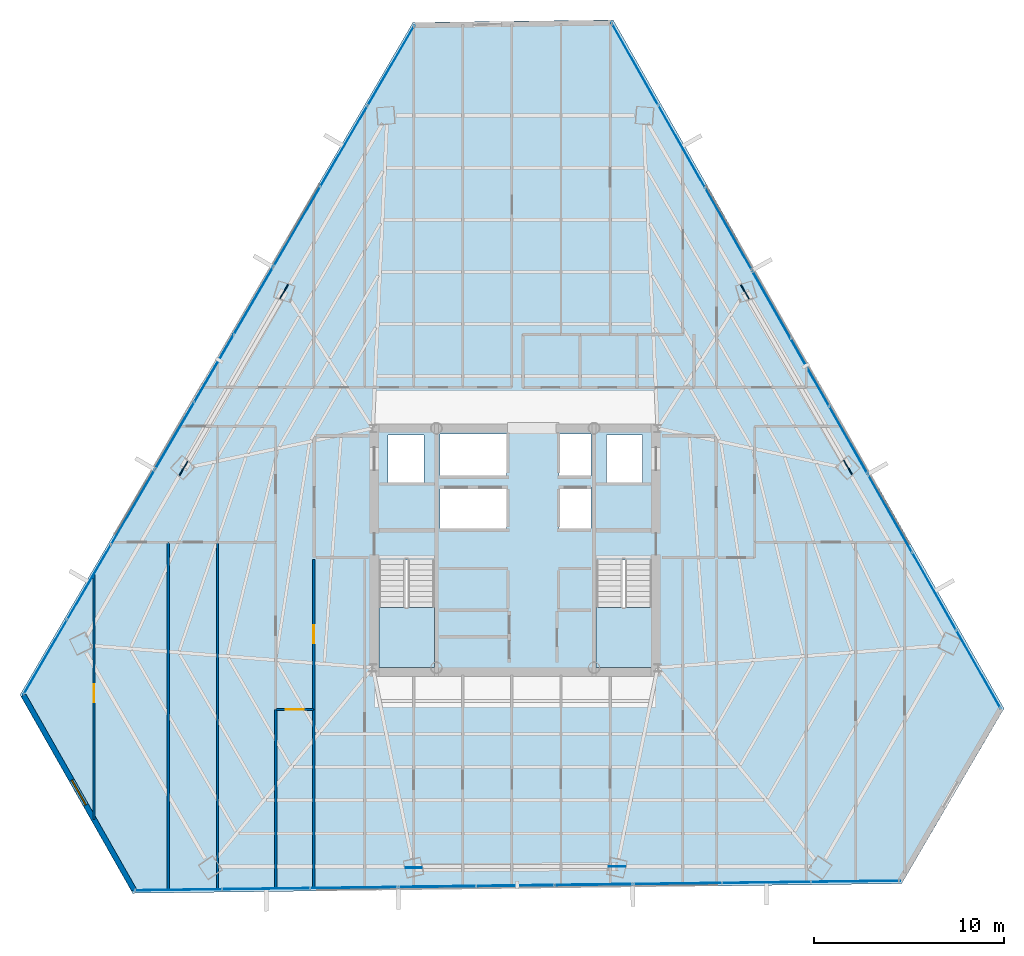
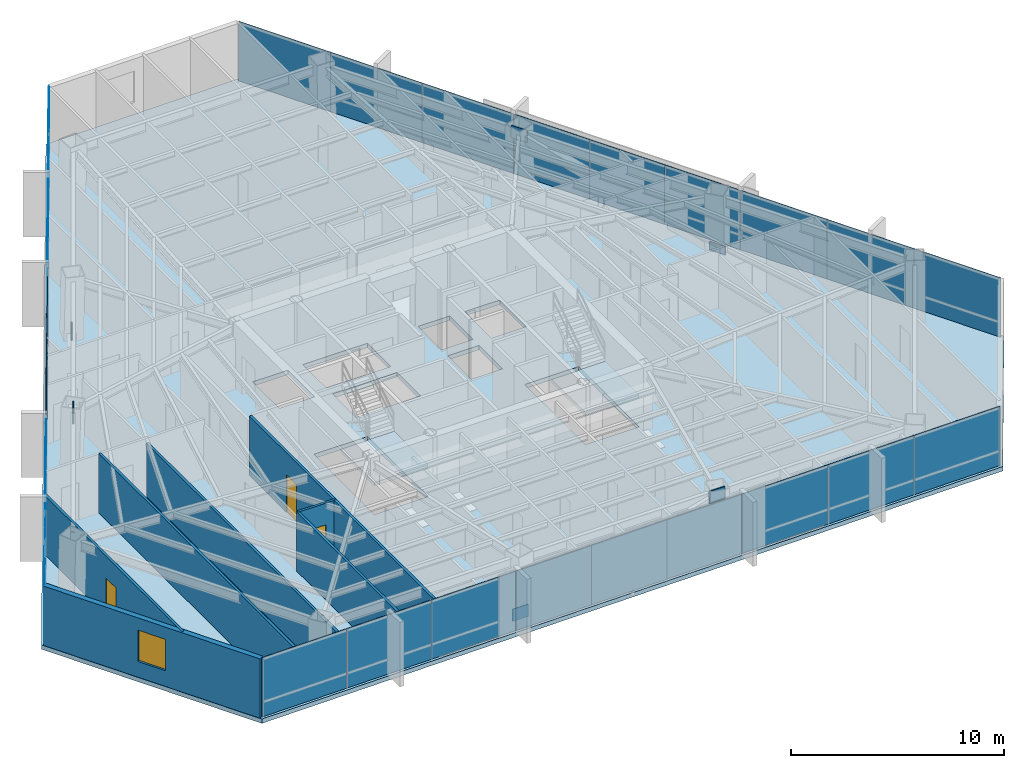
# One storey, part 35 of 42: 33 plates, 8 walls, 3 doors, 3 slabs, 1 window, 4 openings, 11 elements without a shape of their own.
"""IFC4 building model written with IfcOpenShell, lengths in metres."""

from ifc_helpers import new_model, si_unit, direction, frame, frame_2d, origin, origin_2d, place, context, subcontext, project, spatial, polyline, rectangle, outline, extrude, source, transform, mapped, material, layer, layer_set, type_object, type_shapes, element, fill, aggregate, save


model = new_model("IFC4")

# Units and contexts
model_context = context("Model", 3, precision=1e-05, world=origin(), true_north=direction((0.0, 1.0)))
body_context = subcontext(model_context, "Body", "Model", "MODEL_VIEW")
ifc_project = project(units=[si_unit("LENGTHUNIT", "METRE"), si_unit("AREAUNIT", "SQUARE_METRE"), si_unit("VOLUMEUNIT", "CUBIC_METRE"), si_unit("PLANEANGLEUNIT", "RADIAN"), si_unit("MASSUNIT", "GRAM", prefix="KILO")], contexts=[model_context])

# Site, building, storey
site_placement = place(None, origin())
site = spatial("IfcSite", under=ifc_project, at=site_placement, CompositionType="ELEMENT")
building_placement = place(site_placement, origin())
building = spatial("IfcBuilding", under=site, at=building_placement, Name="Caelisora Broadcast Tower", CompositionType="ELEMENT")
storey_placement = place(building_placement, frame((0.0, 0.0, 131.800048828125)))
storey = spatial("IfcBuildingStorey", under=building, at=storey_placement, Name="L34", CompositionType="ELEMENT", Elevation=131.800048828125)

# Slab
ifc_material_1 = material(Name="Concrete 40 MPa (AS 3600 N40)", Category="concrete")
ifc_layer_1 = layer(ifc_material_1, 0.25, Name="Concrete 40 MPa (AS 3600 N40)")
ifc_layer_set_1 = layer_set([ifc_layer_1], Name="Concrete 40 MPa (AS 3600 N40)")
slab_type_1 = type_object("IfcSlabType", Name="SL04", PredefinedType="FLOOR", material=ifc_layer_set_1)
slab_1_placement = place(storey_placement, frame((0.0, 0.0, -0.25)))
element("IfcSlab", 1, at=slab_1_placement, inside=storey, type_object=slab_type_1, Name="L34 suspended floor SL04", PredefinedType="FLOOR", context=body_context, shape_type="SweptSolid", body=[
    extrude(outline(polyline([(43.157958984375, 51.491943359375), (32.613037109375, 51.35888671875), (11.93505859375, 15.97412109375), (17.864990234375, 5.528076171875), (58.340087890625, 6.035888671875), (63.72705078125, 15.2548828125), (43.157958984375, 51.491943359375)]), holes=[polyline([(30.820068359375, 17.39990234375), (33.739990234375, 17.39990234375), (33.739990234375, 23.080078125), (30.820068359375, 23.080078125), (30.820068359375, 17.39990234375)]), polyline([(42.260009765625, 17.39990234375), (45.179931640625, 17.39990234375), (45.179931640625, 23.080078125), (42.260009765625, 23.080078125), (42.260009765625, 17.39990234375)]), polyline([(42.800048828125, 27.14990234375), (44.699951171875, 27.14990234375), (44.699951171875, 29.64990234375), (42.800048828125, 29.64990234375), (42.800048828125, 27.14990234375)]), polyline([(40.300048828125, 24.719970703125), (42.0, 24.719970703125), (42.0, 26.919921875), (40.300048828125, 26.919921875), (40.300048828125, 24.719970703125)]), polyline([(40.300048828125, 27.5), (42.0, 27.5), (42.0, 29.699951171875), (40.300048828125, 29.699951171875), (40.300048828125, 27.5)]), polyline([(34.050048828125, 24.719970703125), (37.550048828125, 24.719970703125), (37.550048828125, 26.919921875), (34.050048828125, 26.919921875), (34.050048828125, 24.719970703125)]), polyline([(34.050048828125, 27.5), (37.550048828125, 27.5), (37.550048828125, 29.699951171875), (34.050048828125, 29.699951171875), (34.050048828125, 27.5)]), polyline([(31.300048828125, 27.14990234375), (33.199951171875, 27.14990234375), (33.199951171875, 29.64990234375), (31.300048828125, 29.64990234375), (31.300048828125, 27.14990234375)])]), origin(), (0.0, 0.0, 1.0), 0.25),
])

# Stair, slab
stair_type_1 = type_object("IfcStairType", Name="ST-1", PredefinedType="HALF_TURN_STAIR", material=ifc_material_1)
stair_1_placement = place(storey_placement, origin())
stair_1 = element("IfcStair", 2, at=stair_1_placement, inside=storey, type_object=stair_type_1, Name="L34 West Fire-Isolated Tower Stair", PredefinedType="HALF_TURN_STAIR")
ifc_layer_2 = layer(ifc_material_1, 0.199951171875, Name="Concrete 40 MPa (AS 3600 N40)")
ifc_layer_set_2 = layer_set([ifc_layer_2], Name="Concrete 40 MPa (AS 3600 N40)")
slab_type_2 = type_object("IfcSlabType", Name="STL-1", PredefinedType="LANDING", material=ifc_layer_set_2)
slab_2_placement = place(storey_placement, frame((0.0, 0.0, 1.625)))
slab_2 = element("IfcSlab", 3, at=slab_2_placement, type_object=slab_type_2, Name="ST-1 landing 1", PredefinedType="LANDING", context=body_context, shape_type="SweptSolid", body=[
    extrude(outline(polyline([(30.820068359375, 20.580078125), (30.820068359375, 17.39990234375), (33.739990234375, 17.39990234375), (33.739990234375, 20.580078125), (30.820068359375, 20.580078125)])), origin(), (0.0, 0.0, 1.0), 0.199951171875),
])
aggregate(stair_1, [slab_2])

stair_type_2 = type_object("IfcStairType", Name="ST-2", PredefinedType="HALF_TURN_STAIR", material=ifc_material_1)
stair_2_placement = place(storey_placement, origin())
stair_2 = element("IfcStair", 4, at=stair_2_placement, inside=storey, type_object=stair_type_2, Name="L34 East Fire-Isolated Tower Stair", PredefinedType="HALF_TURN_STAIR")
slab_3_placement = place(storey_placement, frame((0.0, 0.0, 1.625)))
slab_3 = element("IfcSlab", 5, at=slab_3_placement, type_object=slab_type_2, Name="ST-2 landing 1", PredefinedType="LANDING", context=body_context, shape_type="SweptSolid", body=[
    extrude(outline(polyline([(42.260009765625, 20.580078125), (42.260009765625, 17.39990234375), (45.179931640625, 17.39990234375), (45.179931640625, 20.580078125), (42.260009765625, 20.580078125)])), origin(), (0.0, 0.0, 1.0), 0.199951171875),
])
aggregate(stair_2, [slab_3])

# Plates
ifc_material_2 = material(Name="Steel Grade 350 L15 (AS/NZS 3678)", Category="steel")
ifc_layer_3 = layer(ifc_material_2, 0.050048828125, Name="Steel Grade 350 L15 (AS/NZS 3678)")
ifc_layer_set_3 = layer_set([ifc_layer_3], Name="Steel Grade 350 L15 (AS/NZS 3678)")
plate_type_1 = type_object("IfcPlateType", Name="GP03", PredefinedType="USERDEFINED", material=ifc_layer_set_3)
shared_shape_1 = source(origin(), body_context, "Body", "SweptSolid", [
    extrude(rectangle(XDim=0.85009765625, YDim=0.050048828125, at=origin_2d()), origin(), (0.0, 0.0, 1.0), 0.699951171875),
])
type_shapes(plate_type_1, [shared_shape_1])
for number, where, z_axis, x_axis, name in (
    (6, (25.832275390625, 37.197265625, -0.22998046875), (0.0, 0.0, 1.0), (-0.5, -0.866025403784, 0.0), "L34 gusset plate GP03 (ND-L34-C02B)"),
    (7, (20.54150390625, 27.888671875, 2.72998046875), (0.0, 0.0, 1.0), (-0.5, -0.866025403784, 0.0), "L34 gusset plate GP03 (ND-L34-C03T)"),
    (8, (32.65478515625, 6.864013671875, -0.22998046875), (0.0, 0.0, 1.0), (1.0, 0.0, 0.0), "L34 gusset plate GP03 (ND-L34-C06B)"),
    (9, (43.361572265625, 6.936279296875, 2.72998046875), (0.0, 0.0, 1.0), (1.0, 0.0, 0.0), "L34 gusset plate GP03 (ND-L34-C07T)"),
    (10, (55.512939453125, 27.93896484375, -0.22998046875), (0.0, 0.0, 1.0), (-0.5, 0.866025403784, 0.0), "L34 gusset plate GP03 (ND-L34-C10B)"),
    (11, (50.0966796875, 37.17529296875, 2.72998046875), (0.0, 0.0, 1.0), (-0.5, 0.866025403784, 0.0), "L34 gusset plate GP03 (ND-L34-C11T)"),
):
    element("IfcPlate", number, at=place(storey_placement, frame(where, z_axis=z_axis, x_axis=x_axis)), inside=storey, type_object=plate_type_1, Name=name, ObjectType="GUSSET PLATE", PredefinedType="USERDEFINED", context=body_context, shape_type="MappedRepresentation", body=[
        mapped(shared_shape_1, transform((0.0, 0.0, 0.0), scale=1.0)),
    ])

# Curtain wall, plates
ifc_material_3 = material(Name="Unitised Aluminium and Low-E Glass Curtain Wall", Category="glass")
curtain_wall_type_1 = type_object("IfcCurtainWallType", Name="CW-Z3", PredefinedType="NOTDEFINED", material=ifc_material_3)
curtain_wall_1_placement = place(storey_placement, origin())
curtain_wall_1 = element("IfcCurtainWall", 12, at=curtain_wall_1_placement, inside=storey, type_object=curtain_wall_type_1, Name="L34 curtain wall CW-Z3", PredefinedType="NOTDEFINED")
ifc_material_4 = material(Name="Double Glazed Low-E Argon IGU", Category="glass")
ifc_layer_4 = layer(ifc_material_4, 0.031982421875, Name="Double Glazed Low-E Argon IGU")
ifc_layer_set_4 = layer_set([ifc_layer_4], Name="Double Glazed Low-E Argon IGU")
plate_type_2 = type_object("IfcPlateType", Name="CWP-04", PredefinedType="CURTAIN_PANEL", material=ifc_layer_set_4)
shared_shape_2 = source(origin(), body_context, "Body", "SweptSolid", [
    extrude(rectangle(XDim=4.9912109375, YDim=0.031982421875, at=origin_2d()), origin(), (0.0, 0.0, 1.0), 3.39990234375),
])
plate_1_placement = place(storey_placement, frame((44.302978515625, 49.170654296875, 0.0), z_axis=(0.0, 0.0, 1.0), x_axis=(0.493638325511, -0.869667294767, 0.0)))
plate_1 = element("IfcPlate", 13, at=plate_1_placement, type_object=plate_type_2, Name="L34-CW-B01 glazed panel #1", PredefinedType="CURTAIN_PANEL", context=body_context, shape_type="MappedRepresentation", body=[
    mapped(shared_shape_2, transform((0.0, 0.0, 0.0), scale=1.0)),
])
plate_2_placement = place(storey_placement, frame((46.766845703125, 44.830078125, 0.0), z_axis=(0.0, 0.0, 1.0), x_axis=(0.493638325511, -0.869667294767, 0.0)))
plate_2 = element("IfcPlate", 14, at=plate_2_placement, type_object=plate_type_2, Name="L34-CW-B01 glazed panel #2", PredefinedType="CURTAIN_PANEL", context=body_context, shape_type="MappedRepresentation", body=[
    mapped(shared_shape_2, transform((0.0, 0.0, 0.0), scale=1.0)),
])
plate_3_placement = place(storey_placement, frame((49.230712890625, 40.489501953125, 0.0), z_axis=(0.0, 0.0, 1.0), x_axis=(0.493638325511, -0.869667294767, 0.0)))
plate_3 = element("IfcPlate", 15, at=plate_3_placement, type_object=plate_type_2, Name="L34-CW-B01 glazed panel #3", PredefinedType="CURTAIN_PANEL", context=body_context, shape_type="MappedRepresentation", body=[
    mapped(shared_shape_2, transform((0.0, 0.0, 0.0), scale=1.0)),
])
aggregate(curtain_wall_1, [plate_1, plate_2, plate_3])

ifc_material_5 = material(Name="Unitised Aluminium Insulated Shadow-Box Spandrel Curtain Wall", Category="aluminium")
curtain_wall_type_2 = type_object("IfcCurtainWallType", Name="CW-SP2", PredefinedType="NOTDEFINED", material=ifc_material_5)
curtain_wall_2_placement = place(storey_placement, origin())
curtain_wall_2 = element("IfcCurtainWall", 16, at=curtain_wall_2_placement, inside=storey, type_object=curtain_wall_type_2, Name="L34 curtain wall CW-SP2", PredefinedType="NOTDEFINED")
ifc_material_6 = material(Name="Insulated Terracotta Shadow-Box Spandrel Panel", Category="aluminium")
ifc_layer_5 = layer(ifc_material_6, 0.0439453125, Name="Insulated Terracotta Shadow-Box Spandrel Panel")
ifc_layer_set_5 = layer_set([ifc_layer_5], Name="Insulated Terracotta Shadow-Box Spandrel Panel")
plate_type_3 = type_object("IfcPlateType", Name="CWP-10", PredefinedType="CURTAIN_PANEL", material=ifc_layer_set_5)
shared_shape_3 = source(origin(), body_context, "Body", "SweptSolid", [
    extrude(rectangle(XDim=4.110107421875, YDim=0.0439453125, at=origin_2d()), origin(), (0.0, 0.0, 1.0), 3.39990234375),
])
plate_4_placement = place(storey_placement, frame((51.482177734375, 36.523193359375, 0.0), z_axis=(0.0, 0.0, 1.0), x_axis=(0.493638325511, -0.869667294767, 0.0)))
plate_4 = element("IfcPlate", 17, at=plate_4_placement, type_object=plate_type_3, Name="L34-CW-B02 spandrel panel #1", PredefinedType="CURTAIN_PANEL", context=body_context, shape_type="MappedRepresentation", body=[
    mapped(shared_shape_3, transform((0.0, 0.0, 0.0), scale=1.0)),
])
plate_5_placement = place(storey_placement, frame((53.510986328125, 32.94873046875, 0.0), z_axis=(0.0, 0.0, 1.0), x_axis=(0.493638325511, -0.869667294767, 0.0)))
plate_5 = element("IfcPlate", 18, at=plate_5_placement, type_object=plate_type_3, Name="L34-CW-B02 spandrel panel #2", PredefinedType="CURTAIN_PANEL", context=body_context, shape_type="MappedRepresentation", body=[
    mapped(shared_shape_3, transform((0.0, 0.0, 0.0), scale=1.0)),
])
plate_6_placement = place(storey_placement, frame((55.539794921875, 29.37451171875, 0.0), z_axis=(0.0, 0.0, 1.0), x_axis=(0.493638325511, -0.869667294767, 0.0)))
plate_6 = element("IfcPlate", 19, at=plate_6_placement, type_object=plate_type_3, Name="L34-CW-B02 spandrel panel #3", PredefinedType="CURTAIN_PANEL", context=body_context, shape_type="MappedRepresentation", body=[
    mapped(shared_shape_3, transform((0.0, 0.0, 0.0), scale=1.0)),
])
aggregate(curtain_wall_2, [plate_4, plate_5, plate_6])

curtain_wall_3_placement = place(storey_placement, origin())
curtain_wall_3 = element("IfcCurtainWall", 20, at=curtain_wall_3_placement, inside=storey, type_object=curtain_wall_type_2, Name="L34 curtain wall CW-SP2", PredefinedType="NOTDEFINED")
plate_7_placement = place(storey_placement, frame((20.076904296875, 29.609130859375, 0.0), z_axis=(0.0, 0.0, 1.0), x_axis=(0.504527623815, 0.863395550607, 0.0)))
plate_7 = element("IfcPlate", 21, at=plate_7_placement, type_object=plate_type_3, Name="L34-CW-B10 spandrel panel #1", PredefinedType="CURTAIN_PANEL", context=body_context, shape_type="MappedRepresentation", body=[
    mapped(shared_shape_3, transform((0.0, 0.0, 0.0), scale=1.0)),
])
plate_8_placement = place(storey_placement, frame((22.150390625, 33.15771484375, 0.0), z_axis=(0.0, 0.0, 1.0), x_axis=(0.504527623815, 0.863395550607, 0.0)))
plate_8 = element("IfcPlate", 22, at=plate_8_placement, type_object=plate_type_3, Name="L34-CW-B10 spandrel panel #2", PredefinedType="CURTAIN_PANEL", context=body_context, shape_type="MappedRepresentation", body=[
    mapped(shared_shape_3, transform((0.0, 0.0, 0.0), scale=1.0)),
])
plate_9_placement = place(storey_placement, frame((24.224365234375, 36.706298828125, 0.0), z_axis=(0.0, 0.0, 1.0), x_axis=(0.504527623815, 0.863395550607, 0.0)))
plate_9 = element("IfcPlate", 23, at=plate_9_placement, type_object=plate_type_3, Name="L34-CW-B10 spandrel panel #3", PredefinedType="CURTAIN_PANEL", context=body_context, shape_type="MappedRepresentation", body=[
    mapped(shared_shape_3, transform((0.0, 0.0, 0.0), scale=1.0)),
])
aggregate(curtain_wall_3, [plate_7, plate_8, plate_9])

curtain_wall_4_placement = place(storey_placement, origin())
curtain_wall_4 = element("IfcCurtainWall", 24, at=curtain_wall_4_placement, inside=storey, type_object=curtain_wall_type_1, Name="L34 curtain wall CW-Z3", PredefinedType="NOTDEFINED")
shared_shape_4 = source(origin(), body_context, "Body", "SweptSolid", [
    extrude(rectangle(XDim=4.72314453125, YDim=0.031982421875, at=origin_2d()), origin(), (0.0, 0.0, 1.0), 3.39990234375),
])
plate_10_placement = place(storey_placement, frame((57.72509765625, 25.52490234375, 0.0), z_axis=(0.0, 0.0, 1.0), x_axis=(0.493638325511, -0.869667294767, 0.0)))
plate_10 = element("IfcPlate", 25, at=plate_10_placement, type_object=plate_type_2, Name="L34-CW-B03 glazed panel #1", PredefinedType="CURTAIN_PANEL", context=body_context, shape_type="MappedRepresentation", body=[
    mapped(shared_shape_4, transform((0.0, 0.0, 0.0), scale=1.0)),
])
plate_11_placement = place(storey_placement, frame((60.056640625, 21.417236328125, 0.0), z_axis=(0.0, 0.0, 1.0), x_axis=(0.493638325511, -0.869667294767, 0.0)))
plate_11 = element("IfcPlate", 26, at=plate_11_placement, type_object=plate_type_2, Name="L34-CW-B03 glazed panel #2", PredefinedType="CURTAIN_PANEL", context=body_context, shape_type="MappedRepresentation", body=[
    mapped(shared_shape_4, transform((0.0, 0.0, 0.0), scale=1.0)),
])
plate_12_placement = place(storey_placement, frame((62.38818359375, 17.309814453125, 0.0), z_axis=(0.0, 0.0, 1.0), x_axis=(0.493638325511, -0.869667294767, 0.0)))
plate_12 = element("IfcPlate", 27, at=plate_12_placement, type_object=plate_type_2, Name="L34-CW-B03 glazed panel #3", PredefinedType="CURTAIN_PANEL", context=body_context, shape_type="MappedRepresentation", body=[
    mapped(shared_shape_4, transform((0.0, 0.0, 0.0), scale=1.0)),
])
aggregate(curtain_wall_4, [plate_10, plate_11, plate_12])

curtain_wall_5_placement = place(storey_placement, origin())
curtain_wall_5 = element("IfcCurtainWall", 28, at=curtain_wall_5_placement, inside=storey, type_object=curtain_wall_type_1, Name="L34 curtain wall CW-Z3", PredefinedType="NOTDEFINED")
shared_shape_5 = source(origin(), body_context, "Body", "SweptSolid", [
    extrude(rectangle(XDim=4.689453125, YDim=0.031982421875, at=origin_2d()), origin(), (0.0, 0.0, 1.0), 3.39990234375),
])
plate_13_placement = place(storey_placement, frame((55.908447265625, 6.155517578125, 0.0), z_axis=(0.0, 0.0, 1.0), x_axis=(-0.999921044204, -0.012566039883, 0.0)))
plate_13 = element("IfcPlate", 29, at=plate_13_placement, type_object=plate_type_2, Name="L34-CW-B05 glazed panel #1", PredefinedType="CURTAIN_PANEL", context=body_context, shape_type="MappedRepresentation", body=[
    mapped(shared_shape_5, transform((0.0, 0.0, 0.0), scale=1.0)),
])
plate_14_placement = place(storey_placement, frame((51.219482421875, 6.0966796875, 0.0), z_axis=(0.0, 0.0, 1.0), x_axis=(-0.999921044204, -0.012566039883, 0.0)))
plate_14 = element("IfcPlate", 30, at=plate_14_placement, type_object=plate_type_2, Name="L34-CW-B05 glazed panel #2", PredefinedType="CURTAIN_PANEL", context=body_context, shape_type="MappedRepresentation", body=[
    mapped(shared_shape_5, transform((0.0, 0.0, 0.0), scale=1.0)),
])
plate_15_placement = place(storey_placement, frame((46.530517578125, 6.037841796875, 0.0), z_axis=(0.0, 0.0, 1.0), x_axis=(-0.999921044204, -0.012566039883, 0.0)))
plate_15 = element("IfcPlate", 31, at=plate_15_placement, type_object=plate_type_2, Name="L34-CW-B05 glazed panel #3", PredefinedType="CURTAIN_PANEL", context=body_context, shape_type="MappedRepresentation", body=[
    mapped(shared_shape_5, transform((0.0, 0.0, 0.0), scale=1.0)),
])
aggregate(curtain_wall_5, [plate_13, plate_14, plate_15])

curtain_wall_6_placement = place(storey_placement, origin())
curtain_wall_6 = element("IfcCurtainWall", 32, at=curtain_wall_6_placement, inside=storey, type_object=curtain_wall_type_2, Name="L34 curtain wall CW-SP2", PredefinedType="NOTDEFINED")
shared_shape_6 = source(origin(), body_context, "Body", "SweptSolid", [
    extrude(rectangle(XDim=4.10986328125, YDim=0.0439453125, at=origin_2d()), origin(), (0.0, 0.0, 1.0), 3.39990234375),
])
type_shapes(plate_type_3, [shared_shape_3, shared_shape_6])
plate_16_placement = place(storey_placement, frame((42.12109375, 5.982421875, 0.0), z_axis=(0.0, 0.0, 1.0), x_axis=(-0.999921044204, -0.012566039883, 0.0)))
plate_16 = element("IfcPlate", 33, at=plate_16_placement, type_object=plate_type_3, Name="L34-CW-B06 spandrel panel #1", PredefinedType="CURTAIN_PANEL", context=body_context, shape_type="MappedRepresentation", body=[
    mapped(shared_shape_6, transform((0.0, 0.0, 0.0), scale=1.0)),
])
plate_17_placement = place(storey_placement, frame((38.01171875, 5.930908203125, 0.0), z_axis=(0.0, 0.0, 1.0), x_axis=(-0.999921044204, -0.012566039883, 0.0)))
plate_17 = element("IfcPlate", 34, at=plate_17_placement, type_object=plate_type_3, Name="L34-CW-B06 spandrel panel #2", PredefinedType="CURTAIN_PANEL", context=body_context, shape_type="MappedRepresentation", body=[
    mapped(shared_shape_6, transform((0.0, 0.0, 0.0), scale=1.0)),
])
plate_18_placement = place(storey_placement, frame((33.902099609375, 5.87939453125, 0.0), z_axis=(0.0, 0.0, 1.0), x_axis=(-0.999921044204, -0.012566039883, 0.0)))
plate_18 = element("IfcPlate", 35, at=plate_18_placement, type_object=plate_type_3, Name="L34-CW-B06 spandrel panel #3", PredefinedType="CURTAIN_PANEL", context=body_context, shape_type="MappedRepresentation", body=[
    mapped(shared_shape_6, transform((0.0, 0.0, 0.0), scale=1.0)),
])
aggregate(curtain_wall_6, [plate_16, plate_17, plate_18])

curtain_wall_7_placement = place(storey_placement, origin())
curtain_wall_7 = element("IfcCurtainWall", 36, at=curtain_wall_7_placement, inside=storey, type_object=curtain_wall_type_1, Name="L34 curtain wall CW-Z3", PredefinedType="NOTDEFINED")
shared_shape_7 = source(origin(), body_context, "Body", "SweptSolid", [
    extrude(rectangle(XDim=4.62890625, YDim=0.031982421875, at=origin_2d()), origin(), (0.0, 0.0, 1.0), 3.39990234375),
])
plate_19_placement = place(storey_placement, frame((29.523193359375, 5.82421875, 0.0), z_axis=(0.0, 0.0, 1.0), x_axis=(-0.999921044204, -0.012566039883, 0.0)))
plate_19 = element("IfcPlate", 37, at=plate_19_placement, type_object=plate_type_2, Name="L34-CW-B07 glazed panel #1", PredefinedType="CURTAIN_PANEL", context=body_context, shape_type="MappedRepresentation", body=[
    mapped(shared_shape_7, transform((0.0, 0.0, 0.0), scale=1.0)),
])
plate_20_placement = place(storey_placement, frame((24.894775390625, 5.76611328125, 0.0), z_axis=(0.0, 0.0, 1.0), x_axis=(-0.999921044204, -0.012566039883, 0.0)))
plate_20 = element("IfcPlate", 38, at=plate_20_placement, type_object=plate_type_2, Name="L34-CW-B07 glazed panel #2", PredefinedType="CURTAIN_PANEL", context=body_context, shape_type="MappedRepresentation", body=[
    mapped(shared_shape_7, transform((0.0, 0.0, 0.0), scale=1.0)),
])
plate_21_placement = place(storey_placement, frame((20.26611328125, 5.7080078125, 0.0), z_axis=(0.0, 0.0, 1.0), x_axis=(-0.999921044204, -0.012566039883, 0.0)))
plate_21 = element("IfcPlate", 39, at=plate_21_placement, type_object=plate_type_2, Name="L34-CW-B07 glazed panel #3", PredefinedType="CURTAIN_PANEL", context=body_context, shape_type="MappedRepresentation", body=[
    mapped(shared_shape_7, transform((0.0, 0.0, 0.0), scale=1.0)),
])
aggregate(curtain_wall_7, [plate_19, plate_20, plate_21])

curtain_wall_8_placement = place(storey_placement, origin())
curtain_wall_8 = element("IfcCurtainWall", 40, at=curtain_wall_8_placement, inside=storey, type_object=curtain_wall_type_1, Name="L34 curtain wall CW-Z3", PredefinedType="NOTDEFINED")
shared_shape_8 = source(origin(), body_context, "Body", "SweptSolid", [
    extrude(rectangle(XDim=4.576416015625, YDim=0.031982421875, at=origin_2d()), origin(), (0.0, 0.0, 1.0), 3.39990234375),
])
plate_22_placement = place(storey_placement, frame((13.262451171875, 17.948486328125, 0.0), z_axis=(0.0, 0.0, 1.0), x_axis=(0.504527623815, 0.863395550607, 0.0)))
plate_22 = element("IfcPlate", 41, at=plate_22_placement, type_object=plate_type_2, Name="L34-CW-B09 glazed panel #1", PredefinedType="CURTAIN_PANEL", context=body_context, shape_type="MappedRepresentation", body=[
    mapped(shared_shape_8, transform((0.0, 0.0, 0.0), scale=1.0)),
])
plate_23_placement = place(storey_placement, frame((15.5712890625, 21.899658203125, 0.0), z_axis=(0.0, 0.0, 1.0), x_axis=(0.504527623815, 0.863395550607, 0.0)))
plate_23 = element("IfcPlate", 42, at=plate_23_placement, type_object=plate_type_2, Name="L34-CW-B09 glazed panel #2", PredefinedType="CURTAIN_PANEL", context=body_context, shape_type="MappedRepresentation", body=[
    mapped(shared_shape_8, transform((0.0, 0.0, 0.0), scale=1.0)),
])
plate_24_placement = place(storey_placement, frame((17.88037109375, 25.8505859375, 0.0), z_axis=(0.0, 0.0, 1.0), x_axis=(0.504527623815, 0.863395550607, 0.0)))
plate_24 = element("IfcPlate", 43, at=plate_24_placement, type_object=plate_type_2, Name="L34-CW-B09 glazed panel #3", PredefinedType="CURTAIN_PANEL", context=body_context, shape_type="MappedRepresentation", body=[
    mapped(shared_shape_8, transform((0.0, 0.0, 0.0), scale=1.0)),
])
aggregate(curtain_wall_8, [plate_22, plate_23, plate_24])

curtain_wall_9_placement = place(storey_placement, origin())
curtain_wall_9 = element("IfcCurtainWall", 44, at=curtain_wall_9_placement, inside=storey, type_object=curtain_wall_type_1, Name="L34 curtain wall CW-Z3", PredefinedType="NOTDEFINED")
shared_shape_9 = source(origin(), body_context, "Body", "SweptSolid", [
    extrude(rectangle(XDim=4.9111328125, YDim=0.031982421875, at=origin_2d()), origin(), (0.0, 0.0, 1.0), 3.39990234375),
])
type_shapes(plate_type_2, [shared_shape_2, shared_shape_4, shared_shape_5, shared_shape_7, shared_shape_8, shared_shape_9])
plate_25_placement = place(storey_placement, frame((26.505126953125, 40.609375, 0.0), z_axis=(0.0, 0.0, 1.0), x_axis=(0.504527623815, 0.863395550607, 0.0)))
plate_25 = element("IfcPlate", 45, at=plate_25_placement, type_object=plate_type_2, Name="L34-CW-B11 glazed panel #1", PredefinedType="CURTAIN_PANEL", context=body_context, shape_type="MappedRepresentation", body=[
    mapped(shared_shape_9, transform((0.0, 0.0, 0.0), scale=1.0)),
])
plate_26_placement = place(storey_placement, frame((28.983154296875, 44.849609375, 0.0), z_axis=(0.0, 0.0, 1.0), x_axis=(0.504527623815, 0.863395550607, 0.0)))
plate_26 = element("IfcPlate", 46, at=plate_26_placement, type_object=plate_type_2, Name="L34-CW-B11 glazed panel #2", PredefinedType="CURTAIN_PANEL", context=body_context, shape_type="MappedRepresentation", body=[
    mapped(shared_shape_9, transform((0.0, 0.0, 0.0), scale=1.0)),
])
plate_27_placement = place(storey_placement, frame((31.4609375, 49.08984375, 0.0), z_axis=(0.0, 0.0, 1.0), x_axis=(0.504527623815, 0.863395550607, 0.0)))
plate_27 = element("IfcPlate", 47, at=plate_27_placement, type_object=plate_type_2, Name="L34-CW-B11 glazed panel #3", PredefinedType="CURTAIN_PANEL", context=body_context, shape_type="MappedRepresentation", body=[
    mapped(shared_shape_9, transform((0.0, 0.0, 0.0), scale=1.0)),
])
aggregate(curtain_wall_9, [plate_25, plate_26, plate_27])

# Wall, opening, window
ifc_material_7 = material(Name="Insulated Terracotta Spandrel Wall System", Category="masonry")
ifc_layer_6 = layer(ifc_material_7, 0.280029296875, Name="Insulated Terracotta Spandrel Wall System")
ifc_layer_set_6 = layer_set([ifc_layer_6], Name="Insulated Terracotta Spandrel Wall System")
wall_type_1 = type_object("IfcWallType", Name="EW1", PredefinedType="STANDARD", material=ifc_layer_set_6)
wall_1_placement = place(storey_placement, frame((17.937255859375, 5.705078125, 0.0), z_axis=(0.0, 0.0, 1.0), x_axis=(-0.493699166858, 0.869632757343, 0.0)))
wall_1 = element("IfcWall", 48, at=wall_1_placement, inside=storey, type_object=wall_type_1, Name="L34 exterior envelope wall EW1", PredefinedType="STANDARD", context=body_context, shape_type="SweptSolid", body=[
    extrude(rectangle(XDim=11.77734375, YDim=0.280029296875, at=frame_2d((5.888671875, 0.0))), origin(), (0.0, 0.0, 1.0), 3.39990234375),
])
opening_1_placement = place(wall_1_placement, frame((5.139892578125, 0.0, 0.89990234375)))
opening_1 = element("IfcOpeningElement", 49, at=opening_1_placement, cuts=wall_1, Name="Opening W02", PredefinedType="OPENING", context=body_context, shape_type="SweptSolid", body=[
    extrude(rectangle(XDim=1.5, YDim=1.800048828125, at=frame_2d((0.75, 0.89990234375))), frame((0.0, 0.152099609375, 0.0), z_axis=(0.0, -1.0, 0.0), x_axis=(1.0, 0.0, 0.0)), (0.0, 0.0, 1.0), 0.303955078125),
])
ifc_material_8 = material(Name="Double Glazed Terracotta-Framed Vision Window", Category="glass")
window_type = type_object("IfcWindowType", Name="W02", PartitioningType="SINGLE_PANEL", PredefinedType="WINDOW", material=ifc_material_8)
window_placement = place(opening_1_placement, origin())
window = element("IfcWindow", 50, at=window_placement, inside=storey, type_object=window_type, Name="L34 window W02 (L34-WN-CH4)", OverallHeight=1.800048828125, OverallWidth=1.5, PartitioningType="SINGLE_PANEL", PredefinedType="WINDOW", context=body_context, shape_type="SweptSolid", body=[
    extrude(rectangle(XDim=1.5, YDim=1.800048828125, at=frame_2d((0.75, 0.89990234375))), frame((0.0, 0.030029296875, 0.0), z_axis=(0.0, -1.0, 0.0), x_axis=(1.0, 0.0, 0.0)), (0.0, 0.0, 1.0), 0.06005859375),
])
fill(opening_1, window)

# Walls
ifc_material_9 = material(Name="Acoustic Steel-Stud Plasterboard Partition", Category="gypsum")
ifc_layer_7 = layer(ifc_material_9, 0.1298828125, Name="Acoustic Steel-Stud Plasterboard Partition")
ifc_layer_set_7 = layer_set([ifc_layer_7], Name="Acoustic Steel-Stud Plasterboard Partition")
wall_type_2 = type_object("IfcWallType", Name="PW3", PredefinedType="PARTITIONING", material=ifc_layer_set_7)
wall_2_placement = place(storey_placement, frame((19.739990234375, 5.696533203125, 0.0), z_axis=(0.0, 0.0, 1.0), x_axis=(0.0, 1.0, 0.0)))
element("IfcWall", 51, at=wall_2_placement, inside=storey, type_object=wall_type_2, Name="L34 internal partition PW3", PredefinedType="PARTITIONING", context=body_context, shape_type="SweptSolid", body=[
    extrude(rectangle(XDim=18.298583984375, YDim=0.1298828125, at=frame_2d((9.1494140625, 0.0))), origin(), (0.0, 0.0, 1.0), 3.39990234375),
])
wall_3_placement = place(storey_placement, frame((22.330078125, 5.72900390625, 0.0), z_axis=(0.0, 0.0, 1.0), x_axis=(0.0, 1.0, 0.0)))
element("IfcWall", 52, at=wall_3_placement, inside=storey, type_object=wall_type_2, Name="L34 internal partition PW3", PredefinedType="PARTITIONING", context=body_context, shape_type="SweptSolid", body=[
    extrude(rectangle(XDim=18.26611328125, YDim=0.1298828125, at=frame_2d((9.133056640625, 0.0))), origin(), (0.0, 0.0, 1.0), 3.07763671875),
])

# Wall, opening, door
wall_4_placement = place(storey_placement, frame((15.830078125, 9.406494140625, 0.0), z_axis=(0.0, 0.0, 1.0), x_axis=(0.0, 1.0, 0.0)))
wall_4 = element("IfcWall", 53, at=wall_4_placement, inside=storey, type_object=wall_type_2, Name="L34 internal partition PW3", PredefinedType="PARTITIONING", context=body_context, shape_type="SweptSolid", body=[
    extrude(rectangle(XDim=12.9453125, YDim=0.1298828125, at=frame_2d((6.47265625, 0.0))), origin(), (0.0, 0.0, 1.0), 3.39990234375),
])
opening_2_placement = place(wall_4_placement, frame((6.175048828125, 0.0, 0.0)))
opening_2 = element("IfcOpeningElement", 54, at=opening_2_placement, cuts=wall_4, Name="Opening D01", PredefinedType="OPENING", context=body_context, shape_type="SweptSolid", body=[
    extrude(rectangle(XDim=0.9599609375, YDim=2.14990234375, at=frame_2d((0.47998046875, 1.074951171875))), frame((0.0, 0.076904296875, 0.0), z_axis=(0.0, -1.0, 0.0), x_axis=(1.0, 0.0, 0.0)), (0.0, 0.0, 1.0), 0.15380859375),
])
ifc_material_10 = material(Name="Solid-Core Timber Acoustic Office Door", Category="wood")
door_type = type_object("IfcDoorType", Name="D01", OperationType="NOTDEFINED", PredefinedType="DOOR", material=ifc_material_10)
door_1_placement = place(opening_2_placement, origin())
door_1 = element("IfcDoor", 55, at=door_1_placement, inside=storey, type_object=door_type, Name="L34 door D01 (L34-DR-P41D1)", OperationType="SINGLE_SWING_RIGHT", OverallHeight=2.14990234375, OverallWidth=0.9599609375, PredefinedType="DOOR", context=body_context, shape_type="SweptSolid", body=[
    extrude(rectangle(XDim=0.9599609375, YDim=2.14990234375, at=frame_2d((0.47998046875, 1.074951171875))), frame((0.0, 0.02490234375, 0.0), z_axis=(0.0, -1.0, 0.0), x_axis=(1.0, 0.0, 0.0)), (0.0, 0.0, 1.0), 0.050048828125),
])
fill(opening_2, door_1)

# Walls
wall_5_placement = place(storey_placement, frame((25.39990234375, 5.767578125, 0.0), z_axis=(0.0, 0.0, 1.0), x_axis=(0.0, 1.0, 0.0)))
element("IfcWall", 56, at=wall_5_placement, inside=storey, type_object=wall_type_2, Name="L34 internal partition PW3", PredefinedType="PARTITIONING", context=body_context, shape_type="SweptSolid", body=[
    extrude(rectangle(XDim=9.427490234375, YDim=0.1298828125, at=frame_2d((4.7138671875, 0.0))), origin(), (0.0, 0.0, 1.0), 3.39990234375),
])
wall_6_placement = place(storey_placement, frame((27.39990234375, 5.792724609375, 0.0), z_axis=(0.0, 0.0, 1.0), x_axis=(0.0, 1.0, 0.0)))
element("IfcWall", 57, at=wall_6_placement, inside=storey, type_object=wall_type_2, Name="L34 internal partition PW3", PredefinedType="PARTITIONING", context=body_context, shape_type="SweptSolid", body=[
    extrude(rectangle(XDim=9.40234375, YDim=0.1298828125, at=frame_2d((4.701171875, 0.0))), origin(), (0.0, 0.0, 1.0), 3.39990234375),
])

# Wall, opening, door
wall_7_placement = place(storey_placement, frame((27.39990234375, 15.205078125, 0.0), z_axis=(0.0, 0.0, 1.0), x_axis=(0.0, 1.0, 0.0)))
wall_7 = element("IfcWall", 58, at=wall_7_placement, inside=storey, type_object=wall_type_2, Name="L34 internal partition PW3", PredefinedType="PARTITIONING", context=body_context, shape_type="SweptSolid", body=[
    extrude(rectangle(XDim=7.89990234375, YDim=0.1298828125, at=frame_2d((3.949951171875, 0.0))), origin(), (0.0, 0.0, 1.0), 3.39990234375),
])
opening_3_placement = place(wall_7_placement, frame((3.469970703125, 0.0, 0.0)))
opening_3 = element("IfcOpeningElement", 59, at=opening_3_placement, cuts=wall_7, Name="Opening D01", PredefinedType="OPENING", context=body_context, shape_type="SweptSolid", body=[
    extrude(rectangle(XDim=0.9599609375, YDim=2.14990234375, at=frame_2d((0.47998046875, 1.074951171875))), frame((0.0, 0.076904296875, 0.0), z_axis=(0.0, -1.0, 0.0), x_axis=(1.0, 0.0, 0.0)), (0.0, 0.0, 1.0), 0.15380859375),
])
door_2_placement = place(opening_3_placement, origin())
door_2 = element("IfcDoor", 60, at=door_2_placement, inside=storey, type_object=door_type, Name="L34 door D01 (L34-DR-P55D1)", OperationType="SINGLE_SWING_LEFT", OverallHeight=2.14990234375, OverallWidth=0.9599609375, PredefinedType="DOOR", context=body_context, shape_type="SweptSolid", body=[
    extrude(rectangle(XDim=0.9599609375, YDim=2.14990234375, at=frame_2d((0.47998046875, 1.074951171875))), frame((0.0, 0.02490234375, 0.0), z_axis=(0.0, -1.0, 0.0), x_axis=(1.0, 0.0, 0.0)), (0.0, 0.0, 1.0), 0.050048828125),
])
fill(opening_3, door_2)

wall_8_placement = place(storey_placement, frame((25.405029296875, 15.199951171875, 0.0), z_axis=(0.0, 0.0, 1.0), x_axis=(1.0, 0.0, 0.0)))
wall_8 = element("IfcWall", 61, at=wall_8_placement, inside=storey, type_object=wall_type_2, Name="L34 internal partition PW3", PredefinedType="PARTITIONING", context=body_context, shape_type="SweptSolid", body=[
    extrude(rectangle(XDim=1.989990234375, YDim=0.1298828125, at=frame_2d((0.9951171875, 0.0))), origin(), (0.0, 0.0, 1.0), 3.39990234375),
])
opening_4_placement = place(wall_8_placement, frame((0.514892578125, 0.0, 0.0)))
opening_4 = element("IfcOpeningElement", 62, at=opening_4_placement, cuts=wall_8, Name="Opening D01", PredefinedType="OPENING", context=body_context, shape_type="SweptSolid", body=[
    extrude(rectangle(XDim=0.9599609375, YDim=2.14990234375, at=frame_2d((0.47998046875, 1.074951171875))), frame((0.0, 0.076904296875, 0.0), z_axis=(0.0, -1.0, 0.0), x_axis=(1.0, 0.0, 0.0)), (0.0, 0.0, 1.0), 0.15380859375),
])
door_3_placement = place(opening_4_placement, origin())
door_3 = element("IfcDoor", 63, at=door_3_placement, inside=storey, type_object=door_type, Name="L34 door D01 (L34-DR-P75D1)", OperationType="SINGLE_SWING_LEFT", OverallHeight=2.14990234375, OverallWidth=0.9599609375, PredefinedType="DOOR", context=body_context, shape_type="SweptSolid", body=[
    extrude(rectangle(XDim=0.9599609375, YDim=2.14990234375, at=frame_2d((0.47998046875, 1.074951171875))), frame((0.0, 0.02490234375, 0.0), z_axis=(0.0, -1.0, 0.0), x_axis=(1.0, 0.0, 0.0)), (0.0, 0.0, 1.0), 0.050048828125),
])
fill(opening_4, door_3)

save(model, "model.ifc")
